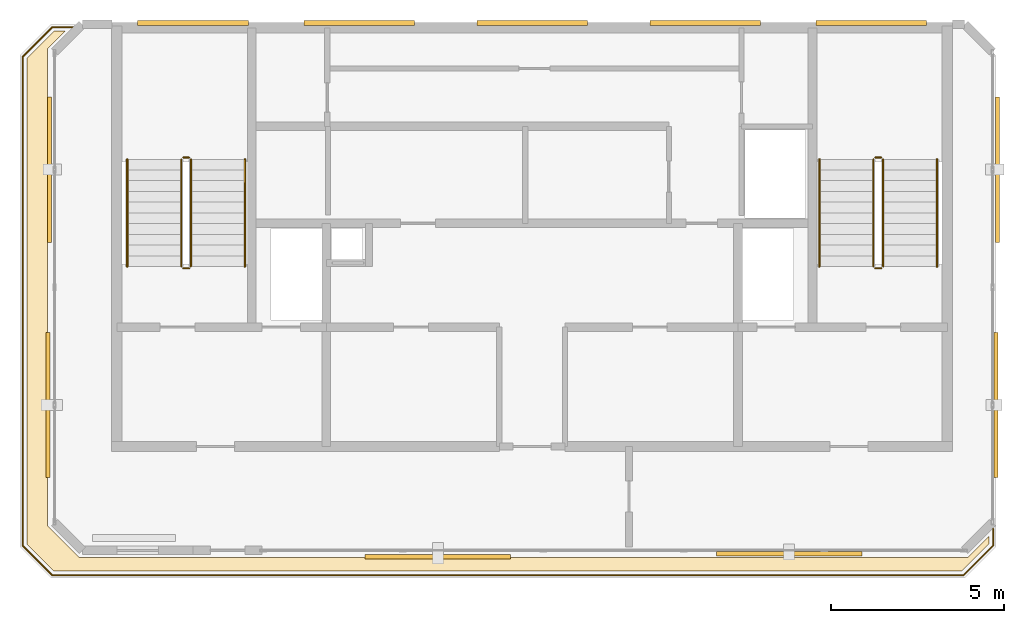
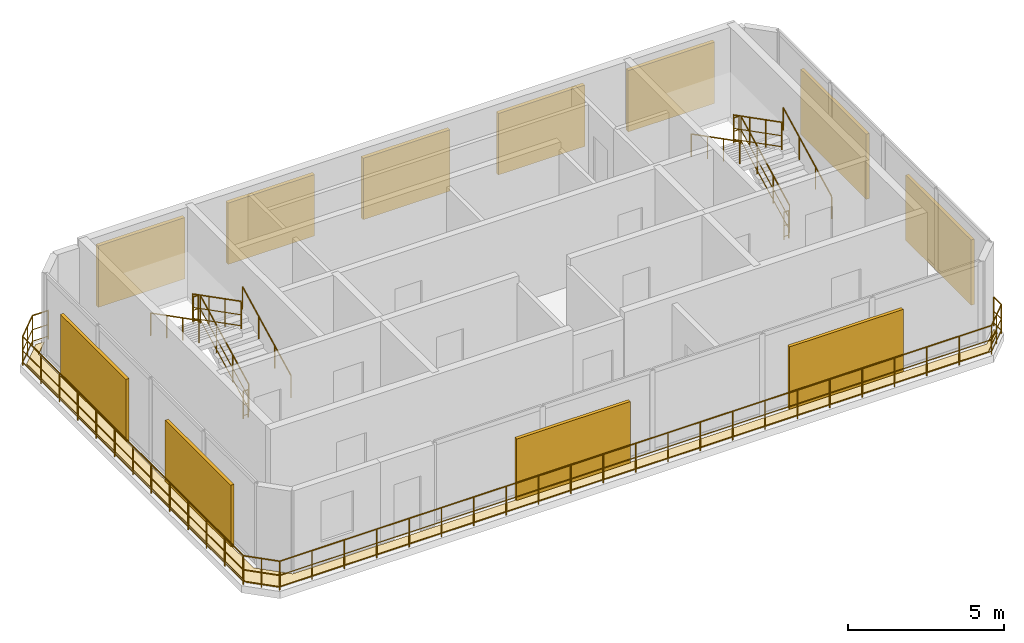
# One storey, part 7 of 7: 14 railings, 11 shading devices, 1 covering.
"""IFC4 building model written with IfcOpenShell, lengths in metres."""

from ifc_helpers import new_model, si_unit, direction, frame, origin, origin_2d, place, context, subcontext, project, spatial, polyline, rectangle, circle, outline, extrude, material, layer, layer_set, type_object, element, save


model = new_model("IFC4")

# Units and contexts
model_context = context("Model", 3, precision=1e-05, world=origin(), true_north=direction((0.0, 1.0)))
body_context = subcontext(model_context, "Body", "Model", "MODEL_VIEW")
ifc_project = project(units=[si_unit("LENGTHUNIT", "METRE"), si_unit("AREAUNIT", "SQUARE_METRE"), si_unit("VOLUMEUNIT", "CUBIC_METRE"), si_unit("PLANEANGLEUNIT", "RADIAN"), si_unit("MASSUNIT", "GRAM", prefix="KILO")], contexts=[model_context])

# Site, building, storey
site_placement = place(None, origin())
site = spatial("IfcSite", under=ifc_project, at=site_placement, CompositionType="ELEMENT")
building_placement = place(site_placement, origin())
building = spatial("IfcBuilding", under=site, at=building_placement, Name="Catumbela Crestline Tower", CompositionType="ELEMENT")
storey_placement = place(building_placement, frame((0.0, 0.0, 311.5)))
storey = spatial("IfcBuildingStorey", under=building, at=storey_placement, Name="L80", CompositionType="ELEMENT", Elevation=311.5)

# Covering
ifc_material_1 = material(Name="Polymer-modified bitumen and XPS roof membrane")
ifc_layer = layer(ifc_material_1, 0.05, Name="Polymer-modified bitumen and XPS roof membrane")
ifc_layer_set = layer_set([ifc_layer], Name="Polymer-modified bitumen and XPS roof membrane")
covering_type = type_object("IfcCoveringType", Name="CR-MEM", PredefinedType="ROOFING", material=ifc_layer_set)
covering_placement = place(storey_placement, origin())
element("IfcCovering", 1, at=covering_placement, inside=storey, type_object=covering_type, Name="L80 Crown Terrace Waterproofing Membrane 4", PredefinedType="ROOFING", context=body_context, shape_type="SweptSolid", body=[
    extrude(outline(polyline([(41.2, 27.9828), (40.4172, 27.2), (14.1828, 27.2), (13.4, 27.9828), (13.4, 42.0172), (14.1828, 42.8), (14.503, 42.8), (13.99, 42.287), (13.99, 28.513), (14.913, 27.59), (40.587, 27.59), (41.2, 28.203), (41.2, 27.9828)])), origin(), (0.0, 0.0, 1.0), 0.05),
])

# Railings
ifc_material_2 = material(Name="Stainless steel EN 1.4401", Category="steel")
railing_type_1 = type_object("IfcRailingType", Name="RG-1100", PredefinedType="GUARDRAIL", material=ifc_material_2)
railing_1_placement = place(storey_placement, frame((18.14, 36.0, 0.1591)))
element("IfcRailing", 2, at=railing_1_placement, inside=storey, type_object=railing_type_1, Name="L80 ST-01 stair guard 1", PredefinedType="GUARDRAIL", context=body_context, shape_type="SweptSolid", body=[
    extrude(circle(Radius=0.024, at=origin_2d()), frame((0.0, 0.0, 1.076), z_axis=(0.0, 0.889682666616, 0.456579404619), x_axis=(-1.0, 0.0, 0.0)), (0.0, 0.0, 1.0), 3.4844),
    extrude(circle(Radius=0.0156, at=origin_2d()), frame((0.0, 0.0, 0.55), z_axis=(0.0, 0.889682666616, 0.456579404619), x_axis=(-1.0, 0.0, 0.0)), (0.0, 0.0, 1.0), 3.4844),
    extrude(circle(Radius=0.0156, at=origin_2d()), frame((0.0, 0.0, 0.12), z_axis=(0.0, 0.889682666616, 0.456579404619), x_axis=(-1.0, 0.0, 0.0)), (0.0, 0.0, 1.0), 3.4844),
    extrude(circle(Radius=0.021, at=origin_2d()), origin(), (0.0, 0.0, 1.0), 1.052),
    extrude(circle(Radius=0.021, at=origin_2d()), frame((0.0, 1.0333, 0.5303)), (0.0, 0.0, 1.0), 1.052),
    extrude(circle(Radius=0.021, at=origin_2d()), frame((0.0, 2.0667, 1.0606)), (0.0, 0.0, 1.0), 1.052),
    extrude(circle(Radius=0.021, at=origin_2d()), frame((0.0, 3.1, 1.5909)), (0.0, 0.0, 1.0), 1.052),
])
railing_2_placement = place(storey_placement, frame((18.09, 39.15, 1.75)))
element("IfcRailing", 3, at=railing_2_placement, inside=storey, type_object=railing_type_1, Name="L80 ST-01 stair guard 2", PredefinedType="GUARDRAIL", context=body_context, shape_type="SweptSolid", body=[
    extrude(circle(Radius=0.024, at=origin_2d()), frame((0.0, 0.0, 1.076), z_axis=(-1.0, 0.0, 0.0), x_axis=(0.0, -1.0, 0.0)), (0.0, 0.0, 1.0), 0.18),
    extrude(circle(Radius=0.0156, at=origin_2d()), frame((0.0, 0.0, 0.55), z_axis=(-1.0, 0.0, 0.0), x_axis=(0.0, -1.0, 0.0)), (0.0, 0.0, 1.0), 0.18),
    extrude(circle(Radius=0.0156, at=origin_2d()), frame((0.0, 0.0, 0.12), z_axis=(-1.0, 0.0, 0.0), x_axis=(0.0, -1.0, 0.0)), (0.0, 0.0, 1.0), 0.18),
    extrude(circle(Radius=0.021, at=origin_2d()), origin(), (0.0, 0.0, 1.0), 1.052),
    extrude(circle(Radius=0.021, at=origin_2d()), frame((-0.18, 0.0, 0.0)), (0.0, 0.0, 1.0), 1.052),
])
railing_3_placement = place(storey_placement, frame((17.86, 39.1, 1.9091)))
element("IfcRailing", 4, at=railing_3_placement, inside=storey, type_object=railing_type_1, Name="L80 ST-01 stair guard 3", PredefinedType="GUARDRAIL", context=body_context, shape_type="SweptSolid", body=[
    extrude(circle(Radius=0.024, at=origin_2d()), frame((0.0, 0.0, 1.076), z_axis=(0.0, -0.889682666616, 0.456579404619), x_axis=(1.0, 0.0, 0.0)), (0.0, 0.0, 1.0), 3.4844),
    extrude(circle(Radius=0.0156, at=origin_2d()), frame((0.0, 0.0, 0.55), z_axis=(0.0, -0.889682666616, 0.456579404619), x_axis=(1.0, 0.0, 0.0)), (0.0, 0.0, 1.0), 3.4844),
    extrude(circle(Radius=0.0156, at=origin_2d()), frame((0.0, 0.0, 0.12), z_axis=(0.0, -0.889682666616, 0.456579404619), x_axis=(1.0, 0.0, 0.0)), (0.0, 0.0, 1.0), 3.4844),
    extrude(circle(Radius=0.021, at=origin_2d()), origin(), (0.0, 0.0, 1.0), 1.052),
    extrude(circle(Radius=0.021, at=origin_2d()), frame((0.0, -1.0333, 0.5303)), (0.0, 0.0, 1.0), 1.052),
    extrude(circle(Radius=0.021, at=origin_2d()), frame((0.0, -2.0667, 1.0606)), (0.0, 0.0, 1.0), 1.052),
    extrude(circle(Radius=0.021, at=origin_2d()), frame((0.0, -3.1, 1.5909)), (0.0, 0.0, 1.0), 1.052),
])
railing_4_placement = place(storey_placement, frame((18.09, 35.95, 0.0)))
element("IfcRailing", 5, at=railing_4_placement, inside=storey, type_object=railing_type_1, Name="L80 ST-01 stair guard 4", PredefinedType="GUARDRAIL", context=body_context, shape_type="SweptSolid", body=[
    extrude(circle(Radius=0.024, at=origin_2d()), frame((0.0, 0.0, 1.076), z_axis=(-1.0, 0.0, 0.0), x_axis=(0.0, -1.0, 0.0)), (0.0, 0.0, 1.0), 0.18),
    extrude(circle(Radius=0.0156, at=origin_2d()), frame((0.0, 0.0, 0.55), z_axis=(-1.0, 0.0, 0.0), x_axis=(0.0, -1.0, 0.0)), (0.0, 0.0, 1.0), 0.18),
    extrude(circle(Radius=0.0156, at=origin_2d()), frame((0.0, 0.0, 0.12), z_axis=(-1.0, 0.0, 0.0), x_axis=(0.0, -1.0, 0.0)), (0.0, 0.0, 1.0), 0.18),
    extrude(circle(Radius=0.021, at=origin_2d()), origin(), (0.0, 0.0, 1.0), 1.052),
    extrude(circle(Radius=0.021, at=origin_2d()), frame((-0.18, 0.0, 0.0)), (0.0, 0.0, 1.0), 1.052),
])
railing_5_placement = place(storey_placement, frame((38.14, 36.0, 0.1591)))
element("IfcRailing", 6, at=railing_5_placement, inside=storey, type_object=railing_type_1, Name="L80 ST-02 stair guard 1", PredefinedType="GUARDRAIL", context=body_context, shape_type="SweptSolid", body=[
    extrude(circle(Radius=0.024, at=origin_2d()), frame((0.0, 0.0, 1.076), z_axis=(0.0, 0.889682666616, 0.456579404619), x_axis=(-1.0, 0.0, 0.0)), (0.0, 0.0, 1.0), 3.4844),
    extrude(circle(Radius=0.0156, at=origin_2d()), frame((0.0, 0.0, 0.55), z_axis=(0.0, 0.889682666616, 0.456579404619), x_axis=(-1.0, 0.0, 0.0)), (0.0, 0.0, 1.0), 3.4844),
    extrude(circle(Radius=0.0156, at=origin_2d()), frame((0.0, 0.0, 0.12), z_axis=(0.0, 0.889682666616, 0.456579404619), x_axis=(-1.0, 0.0, 0.0)), (0.0, 0.0, 1.0), 3.4844),
    extrude(circle(Radius=0.021, at=origin_2d()), origin(), (0.0, 0.0, 1.0), 1.052),
    extrude(circle(Radius=0.021, at=origin_2d()), frame((0.0, 1.0333, 0.5303)), (0.0, 0.0, 1.0), 1.052),
    extrude(circle(Radius=0.021, at=origin_2d()), frame((0.0, 2.0667, 1.0606)), (0.0, 0.0, 1.0), 1.052),
    extrude(circle(Radius=0.021, at=origin_2d()), frame((0.0, 3.1, 1.5909)), (0.0, 0.0, 1.0), 1.052),
])
railing_6_placement = place(storey_placement, frame((38.09, 39.15, 1.75)))
element("IfcRailing", 7, at=railing_6_placement, inside=storey, type_object=railing_type_1, Name="L80 ST-02 stair guard 2", PredefinedType="GUARDRAIL", context=body_context, shape_type="SweptSolid", body=[
    extrude(circle(Radius=0.024, at=origin_2d()), frame((0.0, 0.0, 1.076), z_axis=(-1.0, 0.0, 0.0), x_axis=(0.0, -1.0, 0.0)), (0.0, 0.0, 1.0), 0.18),
    extrude(circle(Radius=0.0156, at=origin_2d()), frame((0.0, 0.0, 0.55), z_axis=(-1.0, 0.0, 0.0), x_axis=(0.0, -1.0, 0.0)), (0.0, 0.0, 1.0), 0.18),
    extrude(circle(Radius=0.0156, at=origin_2d()), frame((0.0, 0.0, 0.12), z_axis=(-1.0, 0.0, 0.0), x_axis=(0.0, -1.0, 0.0)), (0.0, 0.0, 1.0), 0.18),
    extrude(circle(Radius=0.021, at=origin_2d()), origin(), (0.0, 0.0, 1.0), 1.052),
    extrude(circle(Radius=0.021, at=origin_2d()), frame((-0.18, 0.0, 0.0)), (0.0, 0.0, 1.0), 1.052),
])
railing_7_placement = place(storey_placement, frame((37.86, 39.1, 1.9091)))
element("IfcRailing", 8, at=railing_7_placement, inside=storey, type_object=railing_type_1, Name="L80 ST-02 stair guard 3", PredefinedType="GUARDRAIL", context=body_context, shape_type="SweptSolid", body=[
    extrude(circle(Radius=0.024, at=origin_2d()), frame((0.0, 0.0, 1.076), z_axis=(0.0, -0.889682666616, 0.456579404619), x_axis=(1.0, 0.0, 0.0)), (0.0, 0.0, 1.0), 3.4844),
    extrude(circle(Radius=0.0156, at=origin_2d()), frame((0.0, 0.0, 0.55), z_axis=(0.0, -0.889682666616, 0.456579404619), x_axis=(1.0, 0.0, 0.0)), (0.0, 0.0, 1.0), 3.4844),
    extrude(circle(Radius=0.0156, at=origin_2d()), frame((0.0, 0.0, 0.12), z_axis=(0.0, -0.889682666616, 0.456579404619), x_axis=(1.0, 0.0, 0.0)), (0.0, 0.0, 1.0), 3.4844),
    extrude(circle(Radius=0.021, at=origin_2d()), origin(), (0.0, 0.0, 1.0), 1.052),
    extrude(circle(Radius=0.021, at=origin_2d()), frame((0.0, -1.0333, 0.5303)), (0.0, 0.0, 1.0), 1.052),
    extrude(circle(Radius=0.021, at=origin_2d()), frame((0.0, -2.0667, 1.0606)), (0.0, 0.0, 1.0), 1.052),
    extrude(circle(Radius=0.021, at=origin_2d()), frame((0.0, -3.1, 1.5909)), (0.0, 0.0, 1.0), 1.052),
])
railing_8_placement = place(storey_placement, frame((38.09, 35.95, 0.0)))
element("IfcRailing", 9, at=railing_8_placement, inside=storey, type_object=railing_type_1, Name="L80 ST-02 stair guard 4", PredefinedType="GUARDRAIL", context=body_context, shape_type="SweptSolid", body=[
    extrude(circle(Radius=0.024, at=origin_2d()), frame((0.0, 0.0, 1.076), z_axis=(-1.0, 0.0, 0.0), x_axis=(0.0, -1.0, 0.0)), (0.0, 0.0, 1.0), 0.18),
    extrude(circle(Radius=0.0156, at=origin_2d()), frame((0.0, 0.0, 0.55), z_axis=(-1.0, 0.0, 0.0), x_axis=(0.0, -1.0, 0.0)), (0.0, 0.0, 1.0), 0.18),
    extrude(circle(Radius=0.0156, at=origin_2d()), frame((0.0, 0.0, 0.12), z_axis=(-1.0, 0.0, 0.0), x_axis=(0.0, -1.0, 0.0)), (0.0, 0.0, 1.0), 0.18),
    extrude(circle(Radius=0.021, at=origin_2d()), origin(), (0.0, 0.0, 1.0), 1.052),
    extrude(circle(Radius=0.021, at=origin_2d()), frame((-0.18, 0.0, 0.0)), (0.0, 0.0, 1.0), 1.052),
])
railing_type_2 = type_object("IfcRailingType", Name="RH-0900", PredefinedType="HANDRAIL", material=ifc_material_2)
railing_9_placement = place(storey_placement, frame((19.7, 36.0, 0.1591)))
element("IfcRailing", 10, at=railing_9_placement, inside=storey, type_object=railing_type_2, Name="L80 ST-01 stair handrail 1", PredefinedType="HANDRAIL", context=body_context, shape_type="SweptSolid", body=[
    extrude(circle(Radius=0.024, at=origin_2d()), frame((0.0, 0.0, 0.876), z_axis=(0.0, 0.889682666616, 0.456579404619), x_axis=(-1.0, 0.0, 0.0)), (0.0, 0.0, 1.0), 3.4844),
    extrude(circle(Radius=0.021, at=origin_2d()), origin(), (0.0, 0.0, 1.0), 0.852),
    extrude(circle(Radius=0.021, at=origin_2d()), frame((0.0, 1.0333, 0.5303)), (0.0, 0.0, 1.0), 0.852),
    extrude(circle(Radius=0.021, at=origin_2d()), frame((0.0, 2.0667, 1.0606)), (0.0, 0.0, 1.0), 0.852),
    extrude(circle(Radius=0.021, at=origin_2d()), frame((0.0, 3.1, 1.5909)), (0.0, 0.0, 1.0), 0.852),
])
railing_10_placement = place(storey_placement, frame((16.3, 39.1, 1.9091)))
element("IfcRailing", 11, at=railing_10_placement, inside=storey, type_object=railing_type_2, Name="L80 ST-01 stair handrail 2", PredefinedType="HANDRAIL", context=body_context, shape_type="SweptSolid", body=[
    extrude(circle(Radius=0.024, at=origin_2d()), frame((0.0, 0.0, 0.876), z_axis=(0.0, -0.889682666616, 0.456579404619), x_axis=(1.0, 0.0, 0.0)), (0.0, 0.0, 1.0), 3.4844),
    extrude(circle(Radius=0.021, at=origin_2d()), origin(), (0.0, 0.0, 1.0), 0.852),
    extrude(circle(Radius=0.021, at=origin_2d()), frame((0.0, -1.0333, 0.5303)), (0.0, 0.0, 1.0), 0.852),
    extrude(circle(Radius=0.021, at=origin_2d()), frame((0.0, -2.0667, 1.0606)), (0.0, 0.0, 1.0), 0.852),
    extrude(circle(Radius=0.021, at=origin_2d()), frame((0.0, -3.1, 1.5909)), (0.0, 0.0, 1.0), 0.852),
])
railing_11_placement = place(storey_placement, frame((39.7, 36.0, 0.1591)))
element("IfcRailing", 12, at=railing_11_placement, inside=storey, type_object=railing_type_2, Name="L80 ST-02 stair handrail 1", PredefinedType="HANDRAIL", context=body_context, shape_type="SweptSolid", body=[
    extrude(circle(Radius=0.024, at=origin_2d()), frame((0.0, 0.0, 0.876), z_axis=(0.0, 0.889682666616, 0.456579404619), x_axis=(-1.0, 0.0, 0.0)), (0.0, 0.0, 1.0), 3.4844),
    extrude(circle(Radius=0.021, at=origin_2d()), origin(), (0.0, 0.0, 1.0), 0.852),
    extrude(circle(Radius=0.021, at=origin_2d()), frame((0.0, 1.0333, 0.5303)), (0.0, 0.0, 1.0), 0.852),
    extrude(circle(Radius=0.021, at=origin_2d()), frame((0.0, 2.0667, 1.0606)), (0.0, 0.0, 1.0), 0.852),
    extrude(circle(Radius=0.021, at=origin_2d()), frame((0.0, 3.1, 1.5909)), (0.0, 0.0, 1.0), 0.852),
])
railing_12_placement = place(storey_placement, frame((36.3, 39.1, 1.9091)))
element("IfcRailing", 13, at=railing_12_placement, inside=storey, type_object=railing_type_2, Name="L80 ST-02 stair handrail 2", PredefinedType="HANDRAIL", context=body_context, shape_type="SweptSolid", body=[
    extrude(circle(Radius=0.024, at=origin_2d()), frame((0.0, 0.0, 0.876), z_axis=(0.0, -0.889682666616, 0.456579404619), x_axis=(1.0, 0.0, 0.0)), (0.0, 0.0, 1.0), 3.4844),
    extrude(circle(Radius=0.021, at=origin_2d()), origin(), (0.0, 0.0, 1.0), 0.852),
    extrude(circle(Radius=0.021, at=origin_2d()), frame((0.0, -1.0333, 0.5303)), (0.0, 0.0, 1.0), 0.852),
    extrude(circle(Radius=0.021, at=origin_2d()), frame((0.0, -2.0667, 1.0606)), (0.0, 0.0, 1.0), 0.852),
    extrude(circle(Radius=0.021, at=origin_2d()), frame((0.0, -3.1, 1.5909)), (0.0, 0.0, 1.0), 0.852),
])
railing_type_3 = type_object("IfcRailingType", Name="RT-1150", PredefinedType="BALUSTRADE", material=ifc_material_2)
railing_13_placement = place(storey_placement, frame((41.32, 27.9331, 0.0)))
element("IfcRailing", 14, at=railing_13_placement, inside=storey, type_object=railing_type_3, Name="L80 Stepped Terrace Balustrade 1-1", PredefinedType="BALUSTRADE", context=body_context, shape_type="SweptSolid", body=[
    extrude(circle(Radius=0.024, at=origin_2d()), frame((0.0, 0.0, 1.126), z_axis=(-0.707106781187, -0.707106781187, 0.0), x_axis=(0.707106781187, -0.707106781187, 0.0)), (0.0, 0.0, 1.0), 1.2065),
    extrude(circle(Radius=0.0156, at=origin_2d()), frame((0.0, 0.0, 0.575), z_axis=(-0.707106781187, -0.707106781187, 0.0), x_axis=(0.707106781187, -0.707106781187, 0.0)), (0.0, 0.0, 1.0), 1.2065),
    extrude(circle(Radius=0.0156, at=origin_2d()), frame((0.0, 0.0, 0.12), z_axis=(-0.707106781187, -0.707106781187, 0.0), x_axis=(0.707106781187, -0.707106781187, 0.0)), (0.0, 0.0, 1.0), 1.2065),
    extrude(circle(Radius=0.024, at=origin_2d()), frame((-0.8531, -0.8531, 1.126), z_axis=(-1.0, 0.0, 0.0), x_axis=(0.0, -1.0, 0.0)), (0.0, 0.0, 1.0), 26.3338),
    extrude(circle(Radius=0.0156, at=origin_2d()), frame((-0.8531, -0.8531, 0.575), z_axis=(-1.0, 0.0, 0.0), x_axis=(0.0, -1.0, 0.0)), (0.0, 0.0, 1.0), 26.3338),
    extrude(circle(Radius=0.0156, at=origin_2d()), frame((-0.8531, -0.8531, 0.12), z_axis=(-1.0, 0.0, 0.0), x_axis=(0.0, -1.0, 0.0)), (0.0, 0.0, 1.0), 26.3338),
    extrude(circle(Radius=0.024, at=origin_2d()), frame((-27.1869, -0.8531, 1.126), z_axis=(-0.707106781187, 0.707106781187, 0.0), x_axis=(-0.707106781187, -0.707106781187, 0.0)), (0.0, 0.0, 1.0), 1.2065),
    extrude(circle(Radius=0.0156, at=origin_2d()), frame((-27.1869, -0.8531, 0.575), z_axis=(-0.707106781187, 0.707106781187, 0.0), x_axis=(-0.707106781187, -0.707106781187, 0.0)), (0.0, 0.0, 1.0), 1.2065),
    extrude(circle(Radius=0.0156, at=origin_2d()), frame((-27.1869, -0.8531, 0.12), z_axis=(-0.707106781187, 0.707106781187, 0.0), x_axis=(-0.707106781187, -0.707106781187, 0.0)), (0.0, 0.0, 1.0), 1.2065),
    extrude(circle(Radius=0.024, at=origin_2d()), frame((-28.04, 0.0, 1.126), z_axis=(0.0, 1.0, 0.0), x_axis=(-1.0, 0.0, 0.0)), (0.0, 0.0, 1.0), 14.1338),
    extrude(circle(Radius=0.0156, at=origin_2d()), frame((-28.04, 0.0, 0.575), z_axis=(0.0, 1.0, 0.0), x_axis=(-1.0, 0.0, 0.0)), (0.0, 0.0, 1.0), 14.1338),
    extrude(circle(Radius=0.0156, at=origin_2d()), frame((-28.04, 0.0, 0.12), z_axis=(0.0, 1.0, 0.0), x_axis=(-1.0, 0.0, 0.0)), (0.0, 0.0, 1.0), 14.1338),
    extrude(circle(Radius=0.024, at=origin_2d()), frame((-28.04, 14.1338, 1.126), z_axis=(0.707106781187, 0.707106781187, 0.0), x_axis=(-0.707106781187, 0.707106781187, 0.0)), (0.0, 0.0, 1.0), 1.2065),
    extrude(circle(Radius=0.0156, at=origin_2d()), frame((-28.04, 14.1338, 0.575), z_axis=(0.707106781187, 0.707106781187, 0.0), x_axis=(-0.707106781187, 0.707106781187, 0.0)), (0.0, 0.0, 1.0), 1.2065),
    extrude(circle(Radius=0.0156, at=origin_2d()), frame((-28.04, 14.1338, 0.12), z_axis=(0.707106781187, 0.707106781187, 0.0), x_axis=(-0.707106781187, 0.707106781187, 0.0)), (0.0, 0.0, 1.0), 1.2065),
    extrude(circle(Radius=0.024, at=origin_2d()), frame((-27.1869, 14.9869, 1.126), z_axis=(1.0, 0.0, 0.0), x_axis=(0.0, 1.0, 0.0)), (0.0, 0.0, 1.0), 0.5889),
    extrude(circle(Radius=0.0156, at=origin_2d()), frame((-27.1869, 14.9869, 0.575), z_axis=(1.0, 0.0, 0.0), x_axis=(0.0, 1.0, 0.0)), (0.0, 0.0, 1.0), 0.5889),
    extrude(circle(Radius=0.0156, at=origin_2d()), frame((-27.1869, 14.9869, 0.12), z_axis=(1.0, 0.0, 0.0), x_axis=(0.0, 1.0, 0.0)), (0.0, 0.0, 1.0), 0.5889),
    extrude(circle(Radius=0.021, at=origin_2d()), origin(), (0.0, 0.0, 1.0), 1.102),
    extrude(circle(Radius=0.021, at=origin_2d()), frame((-0.4265, -0.4266, 0.0)), (0.0, 0.0, 1.0), 1.102),
    extrude(circle(Radius=0.021, at=origin_2d()), frame((-0.8531, -0.8531, 0.0)), (0.0, 0.0, 1.0), 1.102),
    extrude(circle(Radius=0.021, at=origin_2d()), frame((-2.0501, -0.8531, 0.0)), (0.0, 0.0, 1.0), 1.102),
    extrude(circle(Radius=0.021, at=origin_2d()), frame((-3.2471, -0.8531, 0.0)), (0.0, 0.0, 1.0), 1.102),
    extrude(circle(Radius=0.021, at=origin_2d()), frame((-4.4441, -0.8531, 0.0)), (0.0, 0.0, 1.0), 1.102),
    extrude(circle(Radius=0.021, at=origin_2d()), frame((-5.6411, -0.8531, 0.0)), (0.0, 0.0, 1.0), 1.102),
    extrude(circle(Radius=0.021, at=origin_2d()), frame((-6.8381, -0.8531, 0.0)), (0.0, 0.0, 1.0), 1.102),
    extrude(circle(Radius=0.021, at=origin_2d()), frame((-8.035, -0.8531, 0.0)), (0.0, 0.0, 1.0), 1.102),
    extrude(circle(Radius=0.021, at=origin_2d()), frame((-9.232, -0.8531, 0.0)), (0.0, 0.0, 1.0), 1.102),
    extrude(circle(Radius=0.021, at=origin_2d()), frame((-10.429, -0.8531, 0.0)), (0.0, 0.0, 1.0), 1.102),
    extrude(circle(Radius=0.021, at=origin_2d()), frame((-11.626, -0.8531, 0.0)), (0.0, 0.0, 1.0), 1.102),
    extrude(circle(Radius=0.021, at=origin_2d()), frame((-12.823, -0.8531, 0.0)), (0.0, 0.0, 1.0), 1.102),
    extrude(circle(Radius=0.021, at=origin_2d()), frame((-14.02, -0.8531, 0.0)), (0.0, 0.0, 1.0), 1.102),
    extrude(circle(Radius=0.021, at=origin_2d()), frame((-15.217, -0.8531, 0.0)), (0.0, 0.0, 1.0), 1.102),
    extrude(circle(Radius=0.021, at=origin_2d()), frame((-16.414, -0.8531, 0.0)), (0.0, 0.0, 1.0), 1.102),
    extrude(circle(Radius=0.021, at=origin_2d()), frame((-17.611, -0.8531, 0.0)), (0.0, 0.0, 1.0), 1.102),
    extrude(circle(Radius=0.021, at=origin_2d()), frame((-18.808, -0.8531, 0.0)), (0.0, 0.0, 1.0), 1.102),
    extrude(circle(Radius=0.021, at=origin_2d()), frame((-20.005, -0.8531, 0.0)), (0.0, 0.0, 1.0), 1.102),
    extrude(circle(Radius=0.021, at=origin_2d()), frame((-21.2019, -0.8531, 0.0)), (0.0, 0.0, 1.0), 1.102),
    extrude(circle(Radius=0.021, at=origin_2d()), frame((-22.3989, -0.8531, 0.0)), (0.0, 0.0, 1.0), 1.102),
    extrude(circle(Radius=0.021, at=origin_2d()), frame((-23.5959, -0.8531, 0.0)), (0.0, 0.0, 1.0), 1.102),
    extrude(circle(Radius=0.021, at=origin_2d()), frame((-24.7929, -0.8531, 0.0)), (0.0, 0.0, 1.0), 1.102),
    extrude(circle(Radius=0.021, at=origin_2d()), frame((-25.9899, -0.8531, 0.0)), (0.0, 0.0, 1.0), 1.102),
    extrude(circle(Radius=0.021, at=origin_2d()), frame((-27.1869, -0.8531, 0.0)), (0.0, 0.0, 1.0), 1.102),
    extrude(circle(Radius=0.021, at=origin_2d()), frame((-27.6134, -0.4266, 0.0)), (0.0, 0.0, 1.0), 1.102),
    extrude(circle(Radius=0.021, at=origin_2d()), frame((-28.04, 0.0, 0.0)), (0.0, 0.0, 1.0), 1.102),
    extrude(circle(Radius=0.021, at=origin_2d()), frame((-28.04, 1.1778, 0.0)), (0.0, 0.0, 1.0), 1.102),
    extrude(circle(Radius=0.021, at=origin_2d()), frame((-28.04, 2.3556, 0.0)), (0.0, 0.0, 1.0), 1.102),
    extrude(circle(Radius=0.021, at=origin_2d()), frame((-28.04, 3.5334, 0.0)), (0.0, 0.0, 1.0), 1.102),
    extrude(circle(Radius=0.021, at=origin_2d()), frame((-28.04, 4.7113, 0.0)), (0.0, 0.0, 1.0), 1.102),
    extrude(circle(Radius=0.021, at=origin_2d()), frame((-28.04, 5.8891, 0.0)), (0.0, 0.0, 1.0), 1.102),
    extrude(circle(Radius=0.021, at=origin_2d()), frame((-28.04, 7.0669, 0.0)), (0.0, 0.0, 1.0), 1.102),
    extrude(circle(Radius=0.021, at=origin_2d()), frame((-28.04, 8.2447, 0.0)), (0.0, 0.0, 1.0), 1.102),
    extrude(circle(Radius=0.021, at=origin_2d()), frame((-28.04, 9.4225, 0.0)), (0.0, 0.0, 1.0), 1.102),
    extrude(circle(Radius=0.021, at=origin_2d()), frame((-28.04, 10.6003, 0.0)), (0.0, 0.0, 1.0), 1.102),
    extrude(circle(Radius=0.021, at=origin_2d()), frame((-28.04, 11.7782, 0.0)), (0.0, 0.0, 1.0), 1.102),
    extrude(circle(Radius=0.021, at=origin_2d()), frame((-28.04, 12.956, 0.0)), (0.0, 0.0, 1.0), 1.102),
    extrude(circle(Radius=0.021, at=origin_2d()), frame((-28.04, 14.1338, 0.0)), (0.0, 0.0, 1.0), 1.102),
    extrude(circle(Radius=0.021, at=origin_2d()), frame((-27.6134, 14.5604, 0.0)), (0.0, 0.0, 1.0), 1.102),
    extrude(circle(Radius=0.021, at=origin_2d()), frame((-27.1869, 14.9869, 0.0)), (0.0, 0.0, 1.0), 1.102),
    extrude(circle(Radius=0.021, at=origin_2d()), frame((-26.598, 14.9869, 0.0)), (0.0, 0.0, 1.0), 1.102),
])
railing_14_placement = place(storey_placement, frame((41.32, 28.422, 0.0)))
element("IfcRailing", 15, at=railing_14_placement, inside=storey, type_object=railing_type_3, Name="L80 Stepped Terrace Balustrade 1-2", PredefinedType="BALUSTRADE", context=body_context, shape_type="SweptSolid", body=[
    extrude(circle(Radius=0.024, at=origin_2d()), frame((0.0, 0.0, 1.126), z_axis=(0.0, -1.0, 0.0), x_axis=(1.0, 0.0, 0.0)), (0.0, 0.0, 1.0), 0.4889),
    extrude(circle(Radius=0.0156, at=origin_2d()), frame((0.0, 0.0, 0.575), z_axis=(0.0, -1.0, 0.0), x_axis=(1.0, 0.0, 0.0)), (0.0, 0.0, 1.0), 0.4889),
    extrude(circle(Radius=0.0156, at=origin_2d()), frame((0.0, 0.0, 0.12), z_axis=(0.0, -1.0, 0.0), x_axis=(1.0, 0.0, 0.0)), (0.0, 0.0, 1.0), 0.4889),
    extrude(circle(Radius=0.021, at=origin_2d()), origin(), (0.0, 0.0, 1.0), 1.102),
    extrude(circle(Radius=0.021, at=origin_2d()), frame((0.0, -0.4889, 0.0)), (0.0, 0.0, 1.0), 1.102),
])

# Shading devices
ifc_material_3 = material(Name="Extruded terracotta ceramic", Category="masonry")
shading_device_type_1 = type_object("IfcShadingDeviceType", Name="ST-180", PredefinedType="USERDEFINED", material=ifc_material_3)
for number, where, z_axis, x_axis, name in (
    (16, (28.0, 43.04, 0.55), (0.0, 0.0, 1.0), (1.0, 0.0, 0.0), "L80 Rear Core Terracotta Brise-Soleil Screen 962"),
    (17, (37.8, 43.04, 0.55), (0.0, 0.0, 1.0), (1.0, 0.0, 0.0), "L80 Rear Core Terracotta Brise-Soleil Screen 964"),
):
    element("IfcShadingDevice", number, at=place(storey_placement, frame(where, z_axis=z_axis, x_axis=x_axis)), inside=storey, type_object=shading_device_type_1, Name=name, ObjectType="SCREEN", PredefinedType="USERDEFINED", context=body_context, shape_type="SweptSolid", body=[
        extrude(rectangle(XDim=3.2, YDim=0.14, at=origin_2d()), origin(), (0.0, 0.0, 1.0), 2.4),
    ])
for number, where, z_axis, x_axis, name in (
    (18, (35.425, 27.701, -0.1), (0.0, 0.0, 1.0), (1.0, 0.0, 0.0), "L80 Perforated Terracotta Solar Screen 966 (180 mm)"),
    (19, (41.399, 32.0, -0.1), (0.0, 0.0, 1.0), (0.0, 1.0, 0.0), "L80 Perforated Terracotta Solar Screen 967 (180 mm)"),
):
    element("IfcShadingDevice", number, at=place(storey_placement, frame(where, z_axis=z_axis, x_axis=x_axis)), inside=storey, type_object=shading_device_type_1, Name=name, ObjectType="SCREEN", PredefinedType="USERDEFINED", context=body_context, shape_type="SweptSolid", body=[
        extrude(rectangle(XDim=4.2, YDim=0.12, at=origin_2d()), origin(), (0.0, 0.0, 1.0), 2.55),
    ])
shading_device_type_2 = type_object("IfcShadingDeviceType", Name="ST-260", PredefinedType="USERDEFINED", material=ifc_material_3)
shading_device_placement = place(storey_placement, frame((23.0, 43.04, 0.55), z_axis=(0.0, 0.0, 1.0), x_axis=(1.0, 0.0, 0.0)))
element("IfcShadingDevice", 20, at=shading_device_placement, inside=storey, type_object=shading_device_type_2, Name="L80 Rear Core Terracotta Brise-Soleil Screen 961", ObjectType="SCREEN", PredefinedType="USERDEFINED", context=body_context, shape_type="SweptSolid", body=[
    extrude(rectangle(XDim=3.2, YDim=0.14, at=origin_2d()), origin(), (0.0, 0.0, 1.0), 2.4),
])
for number, where, z_axis, x_axis, name in (
    (21, (41.443, 38.8, -0.1), (0.0, 0.0, 1.0), (0.0, 1.0, 0.0), "L80 Perforated Terracotta Solar Screen 968 (260 mm)"),
    (22, (14.057, 38.8, -0.1), (0.0, 0.0, 1.0), (0.0, -1.0, 0.0), "L80 Perforated Terracotta Solar Screen 969 (260 mm)"),
):
    element("IfcShadingDevice", number, at=place(storey_placement, frame(where, z_axis=z_axis, x_axis=x_axis)), inside=storey, type_object=shading_device_type_2, Name=name, ObjectType="SCREEN", PredefinedType="USERDEFINED", context=body_context, shape_type="SweptSolid", body=[
        extrude(rectangle(XDim=4.2, YDim=0.12, at=origin_2d()), origin(), (0.0, 0.0, 1.0), 2.55),
    ])
shading_device_type_3 = type_object("IfcShadingDeviceType", Name="ST-340", PredefinedType="USERDEFINED", material=ifc_material_3)
for number, where, z_axis, x_axis, name in (
    (23, (18.2, 43.04, 0.55), (0.0, 0.0, 1.0), (1.0, 0.0, 0.0), "L80 Rear Core Terracotta Brise-Soleil Screen 960"),
    (24, (33.0, 43.04, 0.55), (0.0, 0.0, 1.0), (1.0, 0.0, 0.0), "L80 Rear Core Terracotta Brise-Soleil Screen 963"),
):
    element("IfcShadingDevice", number, at=place(storey_placement, frame(where, z_axis=z_axis, x_axis=x_axis)), inside=storey, type_object=shading_device_type_3, Name=name, ObjectType="SCREEN", PredefinedType="USERDEFINED", context=body_context, shape_type="SweptSolid", body=[
        extrude(rectangle(XDim=3.2, YDim=0.14, at=origin_2d()), origin(), (0.0, 0.0, 1.0), 2.4),
    ])
for number, where, z_axis, x_axis, name in (
    (25, (25.275, 27.613, -0.1), (0.0, 0.0, 1.0), (1.0, 0.0, 0.0), "L80 Perforated Terracotta Solar Screen 965 (340 mm)"),
    (26, (14.013, 32.0, -0.1), (0.0, 0.0, 1.0), (0.0, -1.0, 0.0), "L80 Perforated Terracotta Solar Screen 970 (340 mm)"),
):
    element("IfcShadingDevice", number, at=place(storey_placement, frame(where, z_axis=z_axis, x_axis=x_axis)), inside=storey, type_object=shading_device_type_3, Name=name, ObjectType="SCREEN", PredefinedType="USERDEFINED", context=body_context, shape_type="SweptSolid", body=[
        extrude(rectangle(XDim=4.2, YDim=0.12, at=origin_2d()), origin(), (0.0, 0.0, 1.0), 2.55),
    ])

save(model, "model.ifc")
